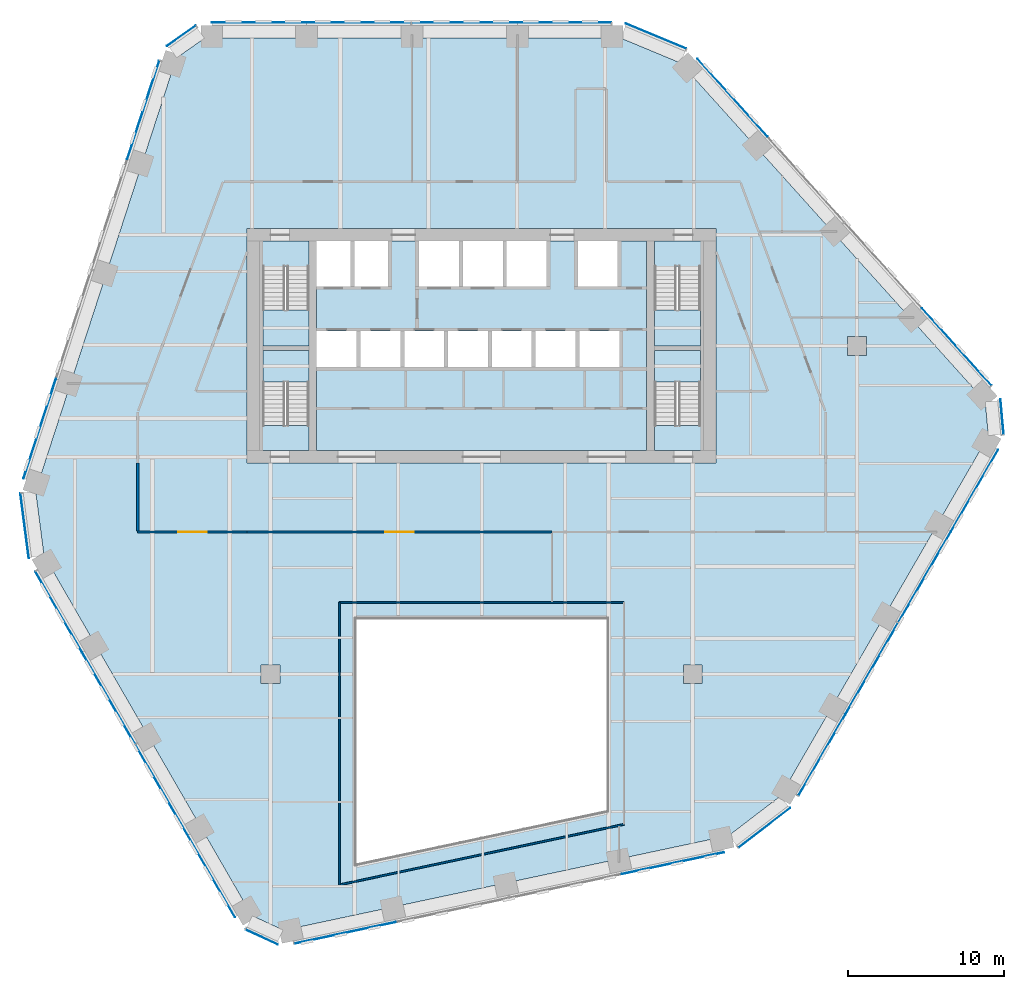
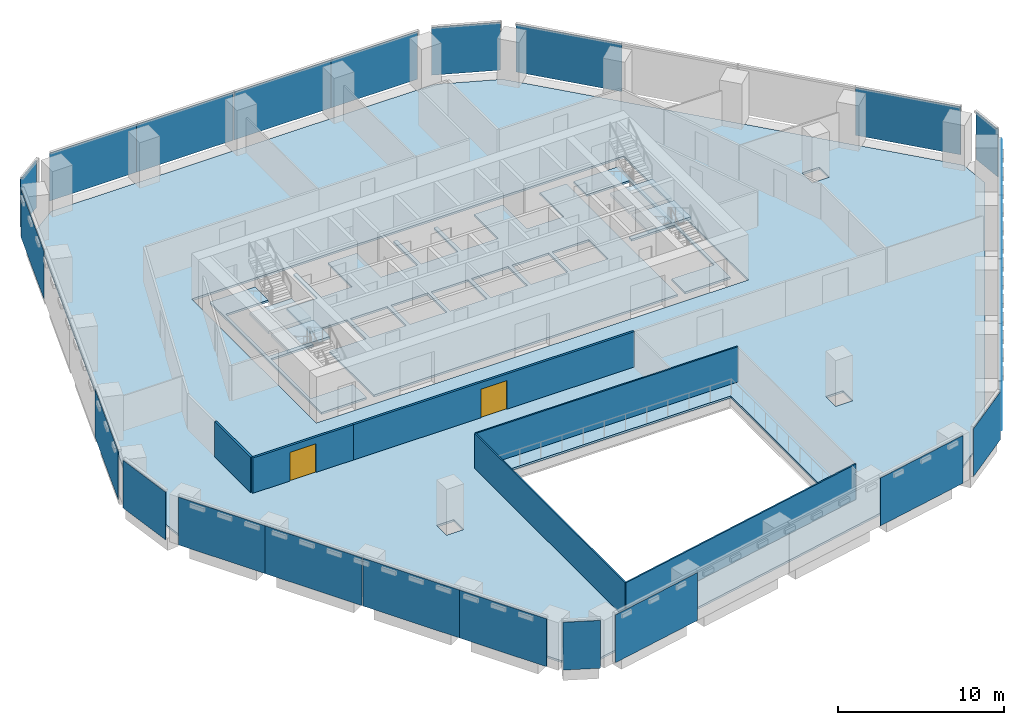
# One storey, part 10 of 17: 24 plates, 8 slabs, 6 walls, 2 doors, 2 openings, 16 elements without a shape of their own.
"""IFC4 building model written with IfcOpenShell, lengths in metres."""

from ifc_helpers import new_model, si_unit, direction, frame, frame_2d, origin, origin_2d, place, context, subcontext, project, spatial, polyline, rectangle, outline, extrude, material, layer, layer_set, type_object, element, fill, aggregate, save


model = new_model("IFC4")

# Units and contexts
model_context = context("Model", 3, precision=1e-05, world=origin(), true_north=direction((0.0, 1.0)))
body_context = subcontext(model_context, "Body", "Model", "MODEL_VIEW")
ifc_project = project(units=[si_unit("LENGTHUNIT", "METRE"), si_unit("AREAUNIT", "SQUARE_METRE"), si_unit("VOLUMEUNIT", "CUBIC_METRE"), si_unit("PLANEANGLEUNIT", "RADIAN"), si_unit("MASSUNIT", "GRAM", prefix="KILO")], contexts=[model_context])

# Site, building, storey
site_placement = place(None, origin())
site = spatial("IfcSite", under=ifc_project, at=site_placement, CompositionType="ELEMENT")
building_placement = place(site_placement, origin())
building = spatial("IfcBuilding", under=site, at=building_placement, Name="Isthmus Gate Tower", CompositionType="ELEMENT")
storey_placement = place(building_placement, frame((0.0, 0.0, 162.64990234375)))
storey = spatial("IfcBuildingStorey", under=building, at=storey_placement, Name="L40", CompositionType="ELEMENT", Elevation=162.64990234375)

# Slabs
ifc_material_1 = material(Name="Concrete f'c 40 MPa", Category="concrete")
ifc_layer_1 = layer(ifc_material_1, 0.14990234375)
ifc_layer_set_1 = layer_set([ifc_layer_1], Name="COMPOSITE FLOOR SLAB 150")
slab_type_1 = type_object("IfcSlabType", Name="COMPOSITE FLOOR SLAB 150", PredefinedType="FLOOR", material=ifc_layer_set_1)
slab_1_placement = place(storey_placement, frame((0.0, 0.0, -0.14990234375)))
element("IfcSlab", 1, at=slab_1_placement, inside=storey, type_object=slab_type_1, Name="str-slab-L40-1", PredefinedType="FLOOR", context=body_context, shape_type="SweptSolid", body=[
    extrude(outline(polyline([(12.72802734375, 25.599365234375), (32.21044921875, 3.9619140625), (32.410400390625, 1.736083984375), (19.116455078125, -21.289306640625), (15.8056640625, -23.822509765625), (-12.674072265625, -29.876220703125), (-14.701416015625, -28.936279296875), (-27.995361328125, -5.91064453125), (-28.53369140625, -1.77685546875), (-19.536376953125, 25.9140625), (-17.708740234375, 27.199951171875), (8.87890625, 27.199951171875), (12.72802734375, 25.599365234375)]), holes=[polyline([(-8.0, -10.0), (-8.0, -25.611083984375), (8.0, -22.210205078125), (8.0, -10.0), (-8.0, -10.0)]), polyline([(-14.10009765625, -12.89990234375), (-14.10009765625, -14.10009765625), (-12.89990234375, -14.10009765625), (-12.89990234375, -12.89990234375), (-14.10009765625, -12.89990234375)]), polyline([(14.10009765625, -12.89990234375), (12.89990234375, -12.89990234375), (12.89990234375, -14.10009765625), (14.10009765625, -14.10009765625), (14.10009765625, -12.89990234375)]), polyline([(-15.0, 15.0), (-15.0, 0.0), (15.0, 0.0), (15.0, 15.0), (-15.0, 15.0)]), polyline([(24.60009765625, 6.89990234375), (24.60009765625, 8.10009765625), (23.39990234375, 8.10009765625), (23.39990234375, 6.89990234375), (24.60009765625, 6.89990234375)])]), origin(), (0.0, 0.0, 1.0), 0.14990234375),
])
ifc_material_2 = material(Name="Concrete f'c 40 MPa", Category="concrete")
ifc_layer_2 = layer(ifc_material_2, 0.14990234375)
ifc_layer_set_2 = layer_set([ifc_layer_2], Name="CORE FLOOR SLAB 150")
slab_type_2 = type_object("IfcSlabType", Name="CORE FLOOR SLAB 150", PredefinedType="FLOOR", material=ifc_layer_set_2)
slab_2_placement = place(storey_placement, frame((0.0, 0.0, -0.14990234375)))
element("IfcSlab", 2, at=slab_2_placement, inside=storey, type_object=slab_type_2, Name="L40 core floor", PredefinedType="FLOOR", context=body_context, shape_type="SweptSolid", body=[
    extrude(outline(polyline([(-11.050048828125, 0.800048828125), (-11.050048828125, 2.402099609375), (-14.0, 2.402099609375), (-14.0, 7.199951171875), (-11.050048828125, 7.199951171875), (-11.050048828125, 7.5), (-14.0, 7.5), (-14.0, 12.597900390625), (-11.050048828125, 12.597900390625), (-11.050048828125, 14.199951171875), (-14.199951171875, 14.199951171875), (-14.199951171875, 0.800048828125), (-11.050048828125, 0.800048828125)])), origin(), (0.0, 0.0, 1.0), 0.14990234375),
])
slab_3_placement = place(storey_placement, frame((0.0, 0.0, -0.14990234375)))
element("IfcSlab", 3, at=slab_3_placement, inside=storey, type_object=slab_type_2, Name="L40 core floor", PredefinedType="FLOOR", context=body_context, shape_type="SweptSolid", body=[
    extrude(outline(polyline([(10.550048828125, 14.199951171875), (8.699951171875, 14.199951171875), (8.699951171875, 11.300048828125), (6.14990234375, 11.300048828125), (6.14990234375, 14.199951171875), (4.14990234375, 14.199951171875), (4.14990234375, 11.300048828125), (1.60009765625, 11.300048828125), (1.60009765625, 14.199951171875), (1.35009765625, 14.199951171875), (1.35009765625, 11.300048828125), (-1.199951171875, 11.300048828125), (-1.199951171875, 14.199951171875), (-1.449951171875, 14.199951171875), (-1.449951171875, 11.300048828125), (-4.0, 11.300048828125), (-4.0, 14.199951171875), (-6.0, 14.199951171875), (-6.0, 11.300048828125), (-8.14990234375, 11.300048828125), (-8.14990234375, 14.199951171875), (-8.39990234375, 14.199951171875), (-8.39990234375, 11.300048828125), (-10.550048828125, 11.300048828125), (-10.550048828125, 8.449951171875), (-8.0, 8.449951171875), (-8.0, 6.14990234375), (-10.550048828125, 6.14990234375), (-10.550048828125, 0.800048828125), (10.550048828125, 0.800048828125), (10.550048828125, 14.199951171875)]), holes=[polyline([(-5.199951171875, 8.449951171875), (-5.199951171875, 6.14990234375), (-7.75, 6.14990234375), (-7.75, 8.449951171875), (-5.199951171875, 8.449951171875)]), polyline([(-2.39990234375, 8.449951171875), (-2.39990234375, 6.14990234375), (-4.949951171875, 6.14990234375), (-4.949951171875, 8.449951171875), (-2.39990234375, 8.449951171875)]), polyline([(0.39990234375, 8.449951171875), (0.39990234375, 6.14990234375), (-2.14990234375, 6.14990234375), (-2.14990234375, 8.449951171875), (0.39990234375, 8.449951171875)]), polyline([(3.199951171875, 8.449951171875), (3.199951171875, 6.14990234375), (0.64990234375, 6.14990234375), (0.64990234375, 8.449951171875), (3.199951171875, 8.449951171875)]), polyline([(6.0, 8.449951171875), (6.0, 6.14990234375), (3.449951171875, 6.14990234375), (3.449951171875, 8.449951171875), (6.0, 8.449951171875)]), polyline([(8.800048828125, 8.449951171875), (8.800048828125, 6.14990234375), (6.25, 6.14990234375), (6.25, 8.449951171875), (8.800048828125, 8.449951171875)])]), origin(), (0.0, 0.0, 1.0), 0.14990234375),
])
slab_4_placement = place(storey_placement, frame((0.0, 0.0, -0.14990234375)))
element("IfcSlab", 4, at=slab_4_placement, inside=storey, type_object=slab_type_2, Name="L40 core floor", PredefinedType="FLOOR", context=body_context, shape_type="SweptSolid", body=[
    extrude(outline(polyline([(11.050048828125, 14.199951171875), (11.050048828125, 12.597900390625), (14.0, 12.597900390625), (14.0, 7.5), (11.050048828125, 7.5), (11.050048828125, 7.199951171875), (14.0, 7.199951171875), (14.0, 2.402099609375), (11.050048828125, 2.402099609375), (11.050048828125, 0.800048828125), (14.199951171875, 0.800048828125), (14.199951171875, 14.199951171875), (11.050048828125, 14.199951171875)])), origin(), (0.0, 0.0, 1.0), 0.14990234375),
])

# Curtain wall, plates
ifc_material_3 = material(Name="Aluminium, pale champagne anodised", Category="aluminium")
ifc_layer_3 = layer(ifc_material_3, 0.199951171875)
ifc_layer_set_3 = layer_set([ifc_layer_3], Name="CW-1 UNITISED CURTAIN WALL 200 DEEP")
curtain_wall_type = type_object("IfcCurtainWallType", Name="CW-1 UNITISED CURTAIN WALL 200 DEEP", PredefinedType="NOTDEFINED", material=ifc_layer_set_3)
curtain_wall_1_placement = place(storey_placement, origin())
curtain_wall_1 = element("IfcCurtainWall", 5, at=curtain_wall_1_placement, inside=storey, type_object=curtain_wall_type, Name="CW-1 N L40", PredefinedType="NOTDEFINED")
ifc_material_4 = material(Name="Laminated low-iron glass, pale blue tint", Category="glass")
ifc_layer_4 = layer(ifc_material_4, 0.035888671875)
ifc_layer_set_4 = layer_set([ifc_layer_4], Name="CW-1 CLEAR GLASS LITE 36")
plate_type = type_object("IfcPlateType", Name="CW-1 CLEAR GLASS LITE 36", PredefinedType="CURTAIN_PANEL", material=ifc_layer_set_4)
plate_1_placement = place(storey_placement, frame((5.283447265625, 28.181884765625, 0.0), z_axis=(0.0, 0.0, 1.0), x_axis=(-1.0, 0.0, 0.0)))
plate_1 = element("IfcPlate", 6, at=plate_1_placement, type_object=plate_type, Name="CW-1 glass lite", PredefinedType="CURTAIN_PANEL", context=body_context, shape_type="SweptSolid", body=[
    extrude(rectangle(XDim=5.990234375, YDim=0.035888671875, at=origin_2d()), origin(), (0.0, 0.0, 1.0), 3.510009765625),
])
plate_2_placement = place(storey_placement, frame((-1.086669921875, 28.181884765625, 0.0), z_axis=(0.0, 0.0, 1.0), x_axis=(-1.0, 0.0, 0.0)))
plate_2 = element("IfcPlate", 7, at=plate_2_placement, type_object=plate_type, Name="CW-1 glass lite", PredefinedType="CURTAIN_PANEL", context=body_context, shape_type="SweptSolid", body=[
    extrude(rectangle(XDim=6.750244140625, YDim=0.035888671875, at=origin_2d()), origin(), (0.0, 0.0, 1.0), 3.510009765625),
])
plate_3_placement = place(storey_placement, frame((-7.86669921875, 28.181884765625, 0.0), z_axis=(0.0, 0.0, 1.0), x_axis=(-1.0, 0.0, 0.0)))
plate_3 = element("IfcPlate", 8, at=plate_3_placement, type_object=plate_type, Name="CW-1 glass lite", PredefinedType="CURTAIN_PANEL", context=body_context, shape_type="SweptSolid", body=[
    extrude(rectangle(XDim=6.690185546875, YDim=0.035888671875, at=origin_2d()), origin(), (0.0, 0.0, 1.0), 3.510009765625),
])
plate_4_placement = place(storey_placement, frame((-14.23681640625, 28.181884765625, 0.0), z_axis=(0.0, 0.0, 1.0), x_axis=(-1.0, 0.0, 0.0)))
plate_4 = element("IfcPlate", 9, at=plate_4_placement, type_object=plate_type, Name="CW-1 glass lite", PredefinedType="CURTAIN_PANEL", context=body_context, shape_type="SweptSolid", body=[
    extrude(rectangle(XDim=6.050048828125, YDim=0.035888671875, at=origin_2d()), origin(), (0.0, 0.0, 1.0), 3.510009765625),
])
aggregate(curtain_wall_1, [plate_1, plate_2, plate_3, plate_4])

# Curtain wall, plate
curtain_wall_2_placement = place(storey_placement, origin())
curtain_wall_2 = element("IfcCurtainWall", 10, at=curtain_wall_2_placement, inside=storey, type_object=curtain_wall_type, Name="CW-1 N-NW L40", PredefinedType="NOTDEFINED")
plate_5_placement = place(storey_placement, frame((-19.2119140625, 27.343017578125, 0.0), z_axis=(0.0, 0.0, 1.0), x_axis=(-0.81785959165, -0.57541783805, 0.0)))
plate_5 = element("IfcPlate", 11, at=plate_5_placement, type_object=plate_type, Name="CW-1 glass lite", PredefinedType="CURTAIN_PANEL", context=body_context, shape_type="SweptSolid", body=[
    extrude(rectangle(XDim=2.258544921875, YDim=0.035888671875, at=origin_2d()), origin(), (0.0, 0.0, 1.0), 3.510009765625),
])
aggregate(curtain_wall_2, [plate_5])

# Curtain wall, plates
curtain_wall_3_placement = place(storey_placement, origin())
curtain_wall_3 = element("IfcCurtainWall", 12, at=curtain_wall_3_placement, inside=storey, type_object=curtain_wall_type, Name="CW-1 NW L40", PredefinedType="NOTDEFINED")
plate_6_placement = place(storey_placement, frame((-21.647216796875, 22.59521484375, 0.0), z_axis=(0.0, 0.0, 1.0), x_axis=(-0.309016994375, -0.951056516295, 0.0)))
plate_6 = element("IfcPlate", 13, at=plate_6_placement, type_object=plate_type, Name="CW-1 glass lite", PredefinedType="CURTAIN_PANEL", context=body_context, shape_type="SweptSolid", body=[
    extrude(rectangle(XDim=6.630859375, YDim=0.035888671875, at=origin_2d()), origin(), (0.0, 0.0, 1.0), 3.510009765625),
])
plate_7_placement = place(storey_placement, frame((-28.2734375, 2.202392578125, 0.0), z_axis=(0.0, 0.0, 1.0), x_axis=(-0.309016994375, -0.951056516295, 0.0)))
plate_7 = element("IfcPlate", 14, at=plate_7_placement, type_object=plate_type, Name="CW-1 glass lite", PredefinedType="CURTAIN_PANEL", context=body_context, shape_type="SweptSolid", body=[
    extrude(rectangle(XDim=6.690673828125, YDim=0.035888671875, at=origin_2d()), origin(), (0.0, 0.0, 1.0), 3.510009765625),
])
aggregate(curtain_wall_3, [plate_6, plate_7])

# Curtain wall, plate
curtain_wall_4_placement = place(storey_placement, origin())
curtain_wall_4 = element("IfcCurtainWall", 15, at=curtain_wall_4_placement, inside=storey, type_object=curtain_wall_type, Name="CW-1 NW-SW L40", PredefinedType="NOTDEFINED")
plate_8_placement = place(storey_placement, frame((-29.234619140625, -3.9990234375, 0.0), z_axis=(0.0, 0.0, 1.0), x_axis=(0.129164534, -0.991623175988, 0.0)))
plate_8 = element("IfcPlate", 16, at=plate_8_placement, type_object=plate_type, Name="CW-1 glass lite", PredefinedType="CURTAIN_PANEL", context=body_context, shape_type="SweptSolid", body=[
    extrude(rectangle(XDim=4.181396484375, YDim=0.035888671875, at=origin_2d()), origin(), (0.0, 0.0, 1.0), 3.510009765625),
])
aggregate(curtain_wall_4, [plate_8])

# Curtain wall, plates
curtain_wall_5_placement = place(storey_placement, origin())
curtain_wall_5 = element("IfcCurtainWall", 17, at=curtain_wall_5_placement, inside=storey, type_object=curtain_wall_type, Name="CW-1 SW L40", PredefinedType="NOTDEFINED")
plate_9_placement = place(storey_placement, frame((-27.048095703125, -9.515380859375, 0.0), z_axis=(0.0, 0.0, 1.0), x_axis=(0.5, -0.866025403784, 0.0)))
plate_9 = element("IfcPlate", 18, at=plate_9_placement, type_object=plate_type, Name="CW-1 glass lite", PredefinedType="CURTAIN_PANEL", context=body_context, shape_type="SweptSolid", body=[
    extrude(rectangle(XDim=5.990234375, YDim=0.035888671875, at=origin_2d()), origin(), (0.0, 0.0, 1.0), 3.510009765625),
])
plate_10_placement = place(storey_placement, frame((-23.863037109375, -15.031982421875, 0.0), z_axis=(0.0, 0.0, 1.0), x_axis=(0.5, -0.866025403784, 0.0)))
plate_10 = element("IfcPlate", 19, at=plate_10_placement, type_object=plate_type, Name="CW-1 glass lite", PredefinedType="CURTAIN_PANEL", context=body_context, shape_type="SweptSolid", body=[
    extrude(rectangle(XDim=6.750244140625, YDim=0.035888671875, at=origin_2d()), origin(), (0.0, 0.0, 1.0), 3.510009765625),
])
plate_11_placement = place(storey_placement, frame((-20.472900390625, -20.90380859375, 0.0), z_axis=(0.0, 0.0, 1.0), x_axis=(0.5, -0.866025403784, 0.0)))
plate_11 = element("IfcPlate", 20, at=plate_11_placement, type_object=plate_type, Name="CW-1 glass lite", PredefinedType="CURTAIN_PANEL", context=body_context, shape_type="SweptSolid", body=[
    extrude(rectangle(XDim=6.690185546875, YDim=0.035888671875, at=origin_2d()), origin(), (0.0, 0.0, 1.0), 3.510009765625),
])
plate_12_placement = place(storey_placement, frame((-17.287841796875, -26.42041015625, 0.0), z_axis=(0.0, 0.0, 1.0), x_axis=(0.5, -0.866025403784, 0.0)))
plate_12 = element("IfcPlate", 21, at=plate_12_placement, type_object=plate_type, Name="CW-1 glass lite", PredefinedType="CURTAIN_PANEL", context=body_context, shape_type="SweptSolid", body=[
    extrude(rectangle(XDim=6.050048828125, YDim=0.035888671875, at=origin_2d()), origin(), (0.0, 0.0, 1.0), 3.510009765625),
])
aggregate(curtain_wall_5, [plate_9, plate_10, plate_11, plate_12])

# Curtain wall, plate
curtain_wall_6_placement = place(storey_placement, origin())
curtain_wall_6 = element("IfcCurtainWall", 22, at=curtain_wall_6_placement, inside=storey, type_object=curtain_wall_type, Name="CW-1 SW-S L40", PredefinedType="NOTDEFINED")
plate_13_placement = place(storey_placement, frame((-14.07373046875, -30.3095703125, 0.0), z_axis=(0.0, 0.0, 1.0), x_axis=(0.907256261367, -0.420578264073, 0.0)))
plate_13 = element("IfcPlate", 23, at=plate_13_placement, type_object=plate_type, Name="CW-1 glass lite", PredefinedType="CURTAIN_PANEL", context=body_context, shape_type="SweptSolid", body=[
    extrude(rectangle(XDim=2.258544921875, YDim=0.035888671875, at=origin_2d()), origin(), (0.0, 0.0, 1.0), 3.510009765625),
])
aggregate(curtain_wall_6, [plate_13])

# Curtain wall, plates
curtain_wall_7_placement = place(storey_placement, origin())
curtain_wall_7 = element("IfcCurtainWall", 24, at=curtain_wall_7_placement, inside=storey, type_object=curtain_wall_type, Name="CW-1 S L40", PredefinedType="NOTDEFINED")
plate_14_placement = place(storey_placement, frame((-8.744384765625, -30.044677734375, 0.0), z_axis=(0.0, 0.0, 1.0), x_axis=(0.978147600734, 0.207911690818, 0.0)))
plate_14 = element("IfcPlate", 25, at=plate_14_placement, type_object=plate_type, Name="CW-1 glass lite", PredefinedType="CURTAIN_PANEL", context=body_context, shape_type="SweptSolid", body=[
    extrude(rectangle(XDim=6.630859375, YDim=0.035888671875, at=origin_2d()), origin(), (0.0, 0.0, 1.0), 3.510009765625),
])
plate_15_placement = place(storey_placement, frame((12.2294921875, -25.586669921875, 0.0), z_axis=(0.0, 0.0, 1.0), x_axis=(0.978147600734, 0.207911690818, 0.0)))
plate_15 = element("IfcPlate", 26, at=plate_15_placement, type_object=plate_type, Name="CW-1 glass lite", PredefinedType="CURTAIN_PANEL", context=body_context, shape_type="SweptSolid", body=[
    extrude(rectangle(XDim=6.690673828125, YDim=0.035888671875, at=origin_2d()), origin(), (0.0, 0.0, 1.0), 3.510009765625),
])
aggregate(curtain_wall_7, [plate_14, plate_15])

# Curtain wall, plate
curtain_wall_8_placement = place(storey_placement, origin())
curtain_wall_8 = element("IfcCurtainWall", 27, at=curtain_wall_8_placement, inside=storey, type_object=curtain_wall_type, Name="CW-1 S-SE L40", PredefinedType="NOTDEFINED")
plate_16_placement = place(storey_placement, frame((18.08056640625, -23.318359375, 0.0), z_axis=(0.0, 0.0, 1.0), x_axis=(0.794188594387, 0.607671355706, 0.0)))
plate_16 = element("IfcPlate", 28, at=plate_16_placement, type_object=plate_type, Name="CW-1 glass lite", PredefinedType="CURTAIN_PANEL", context=body_context, shape_type="SweptSolid", body=[
    extrude(rectangle(XDim=4.181396484375, YDim=0.035888671875, at=origin_2d()), origin(), (0.0, 0.0, 1.0), 3.510009765625),
])
aggregate(curtain_wall_8, [plate_16])

# Curtain wall, plates
curtain_wall_9_placement = place(storey_placement, origin())
curtain_wall_9 = element("IfcCurtainWall", 29, at=curtain_wall_9_placement, inside=storey, type_object=curtain_wall_type, Name="CW-1 SE L40", PredefinedType="NOTDEFINED")
plate_17_placement = place(storey_placement, frame((21.7646484375, -18.666748046875, 0.0), z_axis=(0.0, 0.0, 1.0), x_axis=(0.5, 0.866025403784, 0.0)))
plate_17 = element("IfcPlate", 30, at=plate_17_placement, type_object=plate_type, Name="CW-1 glass lite", PredefinedType="CURTAIN_PANEL", context=body_context, shape_type="SweptSolid", body=[
    extrude(rectangle(XDim=5.990234375, YDim=0.035888671875, at=origin_2d()), origin(), (0.0, 0.0, 1.0), 3.510009765625),
])
plate_18_placement = place(storey_placement, frame((24.94970703125, -13.14990234375, 0.0), z_axis=(0.0, 0.0, 1.0), x_axis=(0.5, 0.866025403784, 0.0)))
plate_18 = element("IfcPlate", 31, at=plate_18_placement, type_object=plate_type, Name="CW-1 glass lite", PredefinedType="CURTAIN_PANEL", context=body_context, shape_type="SweptSolid", body=[
    extrude(rectangle(XDim=6.750244140625, YDim=0.035888671875, at=origin_2d()), origin(), (0.0, 0.0, 1.0), 3.510009765625),
])
plate_19_placement = place(storey_placement, frame((28.339599609375, -7.278076171875, 0.0), z_axis=(0.0, 0.0, 1.0), x_axis=(0.5, 0.866025403784, 0.0)))
plate_19 = element("IfcPlate", 32, at=plate_19_placement, type_object=plate_type, Name="CW-1 glass lite", PredefinedType="CURTAIN_PANEL", context=body_context, shape_type="SweptSolid", body=[
    extrude(rectangle(XDim=6.690185546875, YDim=0.035888671875, at=origin_2d()), origin(), (0.0, 0.0, 1.0), 3.510009765625),
])
plate_20_placement = place(storey_placement, frame((31.524658203125, -1.761474609375, 0.0), z_axis=(0.0, 0.0, 1.0), x_axis=(0.5, 0.866025403784, 0.0)))
plate_20 = element("IfcPlate", 33, at=plate_20_placement, type_object=plate_type, Name="CW-1 glass lite", PredefinedType="CURTAIN_PANEL", context=body_context, shape_type="SweptSolid", body=[
    extrude(rectangle(XDim=6.050048828125, YDim=0.035888671875, at=origin_2d()), origin(), (0.0, 0.0, 1.0), 3.510009765625),
])
aggregate(curtain_wall_9, [plate_17, plate_18, plate_19, plate_20])

# Curtain wall, plate
curtain_wall_10_placement = place(storey_placement, origin())
curtain_wall_10 = element("IfcCurtainWall", 34, at=curtain_wall_10_placement, inside=storey, type_object=curtain_wall_type, Name="CW-1 SE-NE L40", PredefinedType="NOTDEFINED")
plate_21_placement = place(storey_placement, frame((33.285888671875, 2.966552734375, 0.0), z_axis=(0.0, 0.0, 1.0), x_axis=(-0.089396669717, 0.995996102123, 0.0)))
plate_21 = element("IfcPlate", 35, at=plate_21_placement, type_object=plate_type, Name="CW-1 glass lite", PredefinedType="CURTAIN_PANEL", context=body_context, shape_type="SweptSolid", body=[
    extrude(rectangle(XDim=2.258544921875, YDim=0.035888671875, at=origin_2d()), origin(), (0.0, 0.0, 1.0), 3.510009765625),
])
aggregate(curtain_wall_10, [plate_21])

# Curtain wall, plates
curtain_wall_11_placement = place(storey_placement, origin())
curtain_wall_11 = element("IfcCurtainWall", 36, at=curtain_wall_11_placement, inside=storey, type_object=curtain_wall_type, Name="CW-1 NE L40", PredefinedType="NOTDEFINED")
plate_22_placement = place(storey_placement, frame((30.3916015625, 7.449462890625, 0.0), z_axis=(0.0, 0.0, 1.0), x_axis=(-0.669130606359, 0.743144825477, 0.0)))
plate_22 = element("IfcPlate", 37, at=plate_22_placement, type_object=plate_type, Name="CW-1 glass lite", PredefinedType="CURTAIN_PANEL", context=body_context, shape_type="SweptSolid", body=[
    extrude(rectangle(XDim=6.630859375, YDim=0.035888671875, at=origin_2d()), origin(), (0.0, 0.0, 1.0), 3.510009765625),
])
plate_23_placement = place(storey_placement, frame((16.0439453125, 23.38427734375, 0.0), z_axis=(0.0, 0.0, 1.0), x_axis=(-0.669130606359, 0.743144825477, 0.0)))
plate_23 = element("IfcPlate", 38, at=plate_23_placement, type_object=plate_type, Name="CW-1 glass lite", PredefinedType="CURTAIN_PANEL", context=body_context, shape_type="SweptSolid", body=[
    extrude(rectangle(XDim=6.690673828125, YDim=0.035888671875, at=origin_2d()), origin(), (0.0, 0.0, 1.0), 3.510009765625),
])
aggregate(curtain_wall_11, [plate_22, plate_23])

# Curtain wall, plate
curtain_wall_12_placement = place(storey_placement, origin())
curtain_wall_12 = element("IfcCurtainWall", 39, at=curtain_wall_12_placement, inside=storey, type_object=curtain_wall_type, Name="CW-1 NE-N L40", PredefinedType="NOTDEFINED")
plate_24_placement = place(storey_placement, frame((11.154052734375, 27.3173828125, 0.0), z_axis=(0.0, 0.0, 1.0), x_axis=(-0.923353128387, 0.383951820282, 0.0)))
plate_24 = element("IfcPlate", 40, at=plate_24_placement, type_object=plate_type, Name="CW-1 glass lite", PredefinedType="CURTAIN_PANEL", context=body_context, shape_type="SweptSolid", body=[
    extrude(rectangle(XDim=4.181396484375, YDim=0.035888671875, at=origin_2d()), origin(), (0.0, 0.0, 1.0), 3.510009765625),
])
aggregate(curtain_wall_12, [plate_24])

# Stair, slab
ifc_material_5 = material(Name="Concrete f'c 40 MPa", Category="concrete")
stair_type = type_object("IfcStairType", Name="CORE STAIR 22 RISERS", PredefinedType="HALF_TURN_STAIR", material=ifc_material_5)
stair_1_placement = place(storey_placement, origin())
stair_1 = element("IfcStair", 41, at=stair_1_placement, inside=storey, type_object=stair_type, Name="L40 Exit Stair 1", PredefinedType="HALF_TURN_STAIR")
ifc_material_6 = material(Name="Concrete f'c 40 MPa", Category="concrete")
ifc_layer_5 = layer(ifc_material_6, 0.199951171875)
ifc_layer_set_5 = layer_set([ifc_layer_5])
slab_type_3 = type_object("IfcSlabType", Name="STAIR LANDING RC 200", PredefinedType="LANDING", material=ifc_layer_set_5)
slab_5_placement = place(storey_placement, frame((0.0, 0.0, 1.625)))
slab_5 = element("IfcSlab", 42, at=slab_5_placement, type_object=slab_type_3, Name="ST1 landing 1", PredefinedType="LANDING", context=body_context, shape_type="SweptSolid", body=[
    extrude(outline(polyline([(-14.0, 9.800048828125), (-14.0, 7.5), (-11.050048828125, 7.5), (-11.050048828125, 9.800048828125), (-14.0, 9.800048828125)])), origin(), (0.0, 0.0, 1.0), 0.2001953125),
])
aggregate(stair_1, [slab_5])

stair_2_placement = place(storey_placement, origin())
stair_2 = element("IfcStair", 43, at=stair_2_placement, inside=storey, type_object=stair_type, Name="L40 Exit Stair 2", PredefinedType="HALF_TURN_STAIR")
slab_6_placement = place(storey_placement, frame((0.0, 0.0, 1.625)))
slab_6 = element("IfcSlab", 44, at=slab_6_placement, type_object=slab_type_3, Name="ST2 landing 1", PredefinedType="LANDING", context=body_context, shape_type="SweptSolid", body=[
    extrude(outline(polyline([(11.050048828125, 9.800048828125), (11.050048828125, 7.5), (14.0, 7.5), (14.0, 9.800048828125), (11.050048828125, 9.800048828125)])), origin(), (0.0, 0.0, 1.0), 0.2001953125),
])
aggregate(stair_2, [slab_6])

stair_3_placement = place(storey_placement, origin())
stair_3 = element("IfcStair", 45, at=stair_3_placement, inside=storey, type_object=stair_type, Name="L40 Exit Stair 7", PredefinedType="HALF_TURN_STAIR")
slab_7_placement = place(storey_placement, frame((0.0, 0.0, 1.625)))
slab_7 = element("IfcSlab", 46, at=slab_7_placement, type_object=slab_type_3, Name="ST7 landing 1", PredefinedType="LANDING", context=body_context, shape_type="SweptSolid", body=[
    extrude(outline(polyline([(-11.050048828125, 5.199951171875), (-11.050048828125, 7.199951171875), (-14.0, 7.199951171875), (-14.0, 5.199951171875), (-11.050048828125, 5.199951171875)])), origin(), (0.0, 0.0, 1.0), 0.2001953125),
])
aggregate(stair_3, [slab_7])

stair_4_placement = place(storey_placement, origin())
stair_4 = element("IfcStair", 47, at=stair_4_placement, inside=storey, type_object=stair_type, Name="L40 Exit Stair 8", PredefinedType="HALF_TURN_STAIR")
slab_8_placement = place(storey_placement, frame((0.0, 0.0, 1.625)))
slab_8 = element("IfcSlab", 48, at=slab_8_placement, type_object=slab_type_3, Name="ST8 landing 1", PredefinedType="LANDING", context=body_context, shape_type="SweptSolid", body=[
    extrude(outline(polyline([(14.0, 5.199951171875), (14.0, 7.199951171875), (11.050048828125, 7.199951171875), (11.050048828125, 5.199951171875), (14.0, 5.199951171875)])), origin(), (0.0, 0.0, 1.0), 0.2001953125),
])
aggregate(stair_4, [slab_8])

# Walls
ifc_material_7 = material(Name="Fire-rated laminated glass in steel frame", Category="steel")
ifc_layer_6 = layer(ifc_material_7, 0.10009765625)
ifc_layer_set_6 = layer_set([ifc_layer_6], Name="ATRIUM SCREEN GLAZED WALL 100 120 MIN")
wall_type_1 = type_object("IfcWallType", Name="ATRIUM SCREEN GLAZED WALL 100 120 MIN", PredefinedType="PARTITIONING", material=ifc_layer_set_6)
wall_1_placement = place(storey_placement, frame((-9.10009765625, -8.89990234375, 0.0), z_axis=(0.0, 0.0, 1.0), x_axis=(1.0, 0.0, 0.0)))
element("IfcWall", 49, at=wall_1_placement, inside=storey, type_object=wall_type_1, Name="L40 atrium screen", PredefinedType="PARTITIONING", context=body_context, shape_type="SweptSolid", body=[
    extrude(rectangle(XDim=18.2001953125, YDim=0.10009765625, at=frame_2d((9.10009765625, 0.0))), origin(), (0.0, 0.0, 1.0), 2.59130859375),
])
wall_2_placement = place(storey_placement, frame((9.10009765625, -23.100830078125, 0.0), z_axis=(0.0, 0.0, 1.0), x_axis=(-0.978146710971, -0.207915876778, 0.0)))
element("IfcWall", 50, at=wall_2_placement, inside=storey, type_object=wall_type_1, Name="L40 atrium screen", PredefinedType="PARTITIONING", context=body_context, shape_type="SweptSolid", body=[
    extrude(rectangle(XDim=18.60693359375, YDim=0.10009765625, at=frame_2d((9.303466796875, 0.0))), origin(), (0.0, 0.0, 1.0), 2.59130859375),
])
wall_3_placement = place(storey_placement, frame((-9.10009765625, -26.969482421875, 0.0), z_axis=(0.0, 0.0, 1.0), x_axis=(0.0, 1.0, 0.0)))
element("IfcWall", 51, at=wall_3_placement, inside=storey, type_object=wall_type_1, Name="L40 atrium screen", PredefinedType="PARTITIONING", context=body_context, shape_type="SweptSolid", body=[
    extrude(rectangle(XDim=18.069580078125, YDim=0.10009765625, at=frame_2d((9.03466796875, 0.0))), origin(), (0.0, 0.0, 1.0), 2.59130859375),
])

# Wall, opening, door
ifc_material_8 = material(Name="Gypsum board on steel studs, fire-rated", Category="steel")
ifc_layer_7 = layer(ifc_material_8, 0.14990234375)
ifc_layer_set_7 = layer_set([ifc_layer_7], Name="CORRIDOR WALL 150 60 MIN")
wall_type_2 = type_object("IfcWallType", Name="CORRIDOR WALL 150 60 MIN", PredefinedType="PARTITIONING", material=ifc_layer_set_7)
wall_4_placement = place(storey_placement, frame((4.4951171875, -4.39990234375, 0.0), z_axis=(0.0, 0.0, 1.0), x_axis=(-1.0, 0.0, 0.0)))
wall_4 = element("IfcWall", 52, at=wall_4_placement, inside=storey, type_object=wall_type_2, Name="L40 Corridor Wall 150 60 Min", PredefinedType="PARTITIONING", context=body_context, shape_type="SweptSolid", body=[
    extrude(rectangle(XDim=19.4951171875, YDim=0.14990234375, at=frame_2d((9.74755859375, 0.0))), origin(), (0.0, 0.0, 1.0), 2.59130859375),
])
opening_1_placement = place(wall_4_placement, frame((8.847412109375, 0.0, 0.0)))
opening_1 = element("IfcOpeningElement", 53, at=opening_1_placement, cuts=wall_4, Name="Opening DT-T3D-09", PredefinedType="OPENING", context=body_context, shape_type="SweptSolid", body=[
    extrude(rectangle(XDim=1.800048828125, YDim=2.10009765625, at=frame_2d((0.89990234375, 1.050048828125))), frame((0.0, 0.0849609375, 0.0), z_axis=(0.0, -1.0, 0.0), x_axis=(1.0, 0.0, 0.0)), (0.0, 0.0, 1.0), 0.169921875),
])
ifc_material_9 = material(Name="Solid core timber door leaf, fire-rated", Category="wood")
door_type = type_object("IfcDoorType", Name="FIRE DOOR ROOM 1800 X 2100 60 MIN", OperationType="DOUBLE_DOOR_DOUBLE_SWING", PredefinedType="DOOR", material=ifc_material_9)
door_1_placement = place(opening_1_placement, origin())
door_1 = element("IfcDoor", 54, at=door_1_placement, inside=storey, type_object=door_type, Name="L40 room door", OperationType="DOUBLE_DOOR_DOUBLE_SWING", OverallHeight=2.10009765625, OverallWidth=1.800048828125, PredefinedType="DOOR", context=body_context, shape_type="SweptSolid", body=[
    extrude(rectangle(XDim=1.800048828125, YDim=2.10009765625, at=frame_2d((0.89990234375, 1.050048828125))), frame((0.0, 0.02490234375, 0.0), z_axis=(0.0, -1.0, 0.0), x_axis=(1.0, 0.0, 0.0)), (0.0, 0.0, 1.0), 0.050048828125),
])
fill(opening_1, door_1)

wall_5_placement = place(storey_placement, frame((-15.0, -4.39990234375, 0.0), z_axis=(0.0, 0.0, 1.0), x_axis=(-1.0, 0.0, 0.0)))
wall_5 = element("IfcWall", 55, at=wall_5_placement, inside=storey, type_object=wall_type_2, Name="L40 Corridor Wall 150 60 Min", PredefinedType="PARTITIONING", context=body_context, shape_type="SweptSolid", body=[
    extrude(rectangle(XDim=7.0, YDim=0.14990234375, at=frame_2d((3.5, 0.0))), origin(), (0.0, 0.0, 1.0), 2.59130859375),
])
opening_2_placement = place(wall_5_placement, frame((2.60009765625, 0.0, 0.0)))
opening_2 = element("IfcOpeningElement", 56, at=opening_2_placement, cuts=wall_5, Name="Opening DT-T3D-10", PredefinedType="OPENING", context=body_context, shape_type="SweptSolid", body=[
    extrude(rectangle(XDim=1.800048828125, YDim=2.10009765625, at=frame_2d((0.89990234375, 1.050048828125))), frame((0.0, 0.0849609375, 0.0), z_axis=(0.0, -1.0, 0.0), x_axis=(1.0, 0.0, 0.0)), (0.0, 0.0, 1.0), 0.169921875),
])
door_2_placement = place(opening_2_placement, origin())
door_2 = element("IfcDoor", 57, at=door_2_placement, inside=storey, type_object=door_type, Name="L40 room door", OperationType="DOUBLE_DOOR_DOUBLE_SWING", OverallHeight=2.10009765625, OverallWidth=1.800048828125, PredefinedType="DOOR", context=body_context, shape_type="SweptSolid", body=[
    extrude(rectangle(XDim=1.800048828125, YDim=2.10009765625, at=frame_2d((0.89990234375, 1.050048828125))), frame((0.0, 0.02490234375, 0.0), z_axis=(0.0, -1.0, 0.0), x_axis=(1.0, 0.0, 0.0)), (0.0, 0.0, 1.0), 0.050048828125),
])
fill(opening_2, door_2)

# Wall
wall_6_placement = place(storey_placement, frame((-22.0, -4.324951171875, 0.0), z_axis=(0.0, 0.0, 1.0), x_axis=(0.0, 1.0, 0.0)))
element("IfcWall", 58, at=wall_6_placement, inside=storey, type_object=wall_type_2, Name="L40 Corridor Wall 150 60 Min", PredefinedType="PARTITIONING", context=body_context, shape_type="SweptSolid", body=[
    extrude(rectangle(XDim=4.324951171875, YDim=0.14990234375, at=frame_2d((2.16259765625, 0.0))), origin(), (0.0, 0.0, 1.0), 2.59130859375),
])

save(model, "model.ifc")
